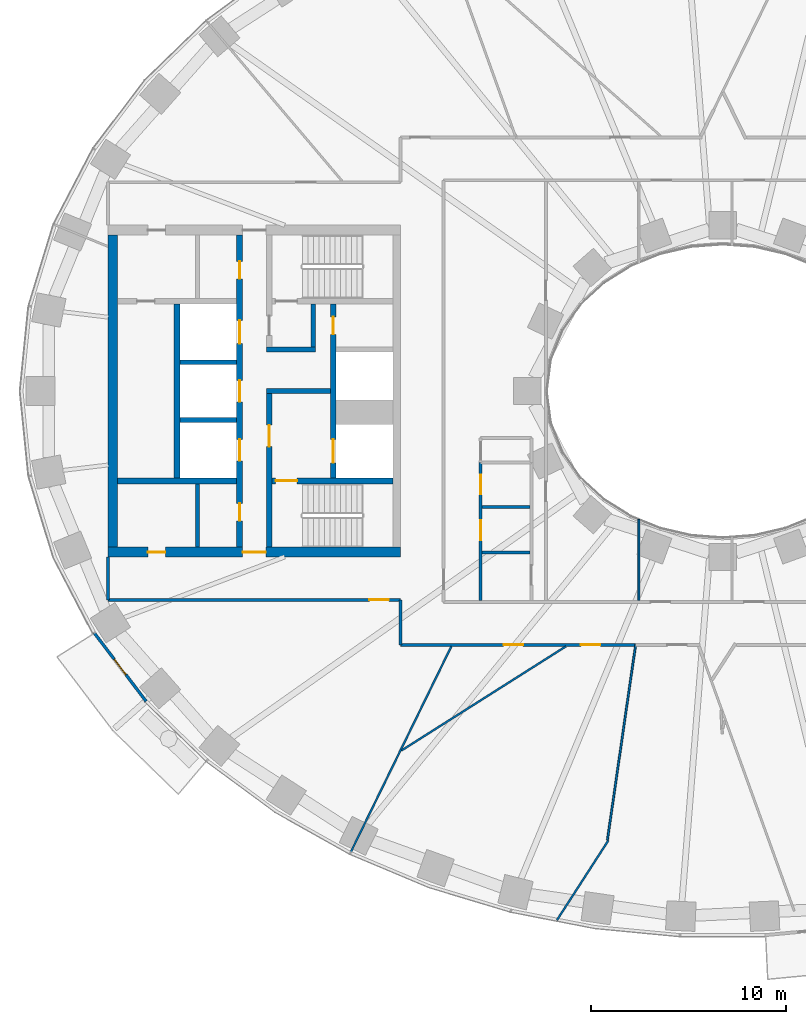
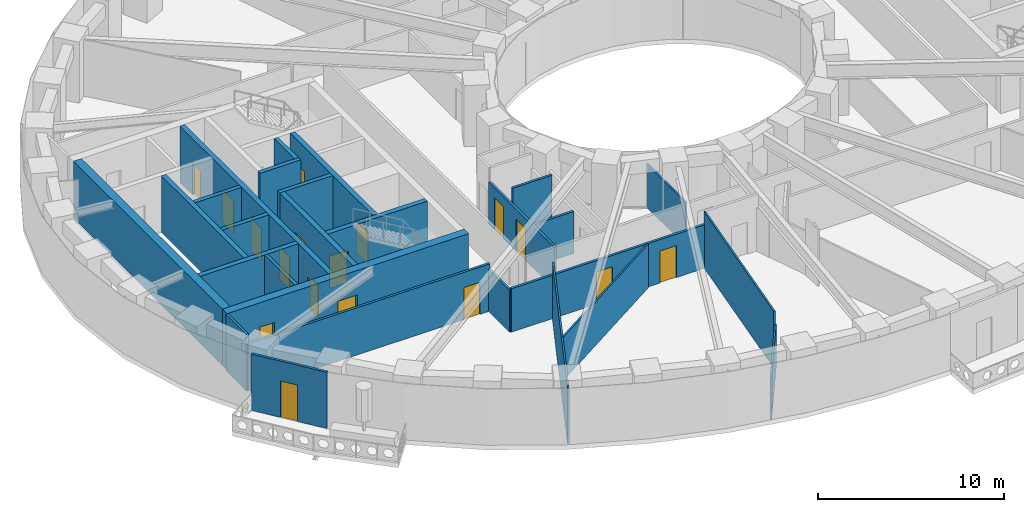
# One storey, part 3 of 16: 27 walls, 17 doors, 17 openings.
"""IFC4 building model written with IfcOpenShell, lengths in metres."""

from ifc_helpers import new_model, si_unit, direction, frame, frame_2d, origin, place, context, subcontext, project, spatial, rectangle, extrude, material, layer, layer_set, type_object, element, fill, save


model = new_model("IFC4")

# Units and contexts
model_context = context("Model", 3, precision=1e-05, world=origin(), true_north=direction((0.0, 1.0)))
body_context = subcontext(model_context, "Body", "Model", "MODEL_VIEW")
ifc_project = project(units=[si_unit("LENGTHUNIT", "METRE"), si_unit("AREAUNIT", "SQUARE_METRE"), si_unit("VOLUMEUNIT", "CUBIC_METRE"), si_unit("PLANEANGLEUNIT", "RADIAN"), si_unit("MASSUNIT", "GRAM", prefix="KILO")], contexts=[model_context])

# Site, building, storey
site_placement = place(None, origin())
site = spatial("IfcSite", under=ifc_project, at=site_placement, CompositionType="ELEMENT")
building_placement = place(site_placement, origin())
building = spatial("IfcBuilding", under=site, at=building_placement, Name="Noorbagh Ring Tower", CompositionType="ELEMENT")
storey_placement = place(building_placement, frame((0.0, 0.0, 54.5)))
storey = spatial("IfcBuildingStorey", under=building, at=storey_placement, Name="L11", CompositionType="ELEMENT", Elevation=54.5)

# Walls
ifc_material_1 = material(Name="Gypsum board on steel studs", Category="steel")
ifc_layer_1 = layer(ifc_material_1, 0.199951171875)
ifc_layer_set_1 = layer_set([ifc_layer_1], Name="Gypsum board on steel studs")
wall_type_1 = type_object("IfcWallType", Name="CORE-PARTITION-200", PredefinedType="PARTITIONING", material=ifc_layer_set_1)
wall_1_placement = place(storey_placement, frame((-26.89990234375, -8.0, 0.0), z_axis=(0.0, 0.0, 1.0), x_axis=(0.0, 1.0, 0.0)))
element("IfcWall", 1, at=wall_1_placement, inside=storey, type_object=wall_type_1, Name="Core partition W", PredefinedType="PARTITIONING", context=body_context, shape_type="SweptSolid", body=[
    extrude(rectangle(XDim=3.25, YDim=0.199951171875, at=frame_2d((1.625, 0.0))), origin(), (0.0, 0.0, 1.0), 3.699951171875),
])
ifc_material_2 = material(Name="Concrete C70/85", Category="concrete")
ifc_layer_2 = layer(ifc_material_2, 0.25)
ifc_layer_set_2 = layer_set([ifc_layer_2], Name="Concrete C70/85")
wall_type_2 = type_object("IfcWallType", Name="CORE-WALL-250-C70-85-EI120", PredefinedType="SHEAR", material=ifc_layer_set_2)
for number, where, z_axis, x_axis, name in (
    (2, (-24.89990234375, -1.47509765625, 0.0), (0.0, 0.0, 1.0), (-1.0, 0.0, 0.0), "Core wall W"),
    (3, (-24.89990234375, 1.47509765625, 0.0), (0.0, 0.0, 1.0), (-1.0, 0.0, 0.0), "Core wall W"),
):
    element("IfcWall", number, at=place(storey_placement, frame(where, z_axis=z_axis, x_axis=x_axis)), inside=storey, type_object=wall_type_2, Name=name, PredefinedType="SHEAR", context=body_context, shape_type="SweptSolid", body=[
        extrude(rectangle(XDim=2.900146484375, YDim=0.25, at=frame_2d((1.4501953125, 0.0))), origin(), (0.0, 0.0, 1.0), 3.699951171875),
    ])
ifc_material_3 = material(Name="Concrete C70/85", Category="concrete")
ifc_layer_3 = layer(ifc_material_3, 0.25)
ifc_layer_set_3 = layer_set([ifc_layer_3], Name="Concrete C70/85")
wall_type_3 = type_object("IfcWallType", Name="CORE-WALL-250-C70-85-EI240", PredefinedType="SHEAR", material=ifc_layer_set_3)
wall_2_placement = place(storey_placement, frame((-20.10009765625, 0.0, 0.0), z_axis=(0.0, 0.0, 1.0), x_axis=(-1.0, 0.0, 0.0)))
element("IfcWall", 4, at=wall_2_placement, inside=storey, type_object=wall_type_3, Name="Core wall W", PredefinedType="SHEAR", context=body_context, shape_type="SweptSolid", body=[
    extrude(rectangle(XDim=3.27978515625, YDim=0.25, at=frame_2d((1.639892578125, 0.0))), origin(), (0.0, 0.0, 1.0), 3.699951171875),
])
wall_3_placement = place(storey_placement, frame((-20.85009765625, 2.125, 0.0), z_axis=(0.0, 0.0, 1.0), x_axis=(-1.0, 0.0, 0.0)))
element("IfcWall", 5, at=wall_3_placement, inside=storey, type_object=wall_type_3, Name="Core wall W", PredefinedType="SHEAR", context=body_context, shape_type="SweptSolid", body=[
    extrude(rectangle(XDim=2.52978515625, YDim=0.25, at=frame_2d((1.264892578125, 0.0))), origin(), (0.0, 0.0, 1.0), 3.699951171875),
])
wall_4_placement = place(storey_placement, frame((-20.97509765625, 2.25, 0.0), z_axis=(0.0, 0.0, 1.0), x_axis=(0.0, 1.0, 0.0)))
element("IfcWall", 6, at=wall_4_placement, inside=storey, type_object=wall_type_3, Name="Core wall W", PredefinedType="SHEAR", context=body_context, shape_type="SweptSolid", body=[
    extrude(rectangle(XDim=2.199951171875, YDim=0.25, at=frame_2d((1.10009765625, 0.0))), origin(), (0.0, 0.0, 1.0), 3.699951171875),
])
ifc_material_4 = material(Name="Concrete C70/85", Category="concrete")
ifc_layer_4 = layer(ifc_material_4, 0.300048828125)
ifc_layer_set_4 = layer_set([ifc_layer_4], Name="Concrete C70/85")
wall_type_4 = type_object("IfcWallType", Name="CORE-WALL-300-C70-85-EI120", PredefinedType="SHEAR", material=ifc_layer_set_4)
wall_5_placement = place(storey_placement, frame((-27.949951171875, -4.449951171875, 0.0), z_axis=(0.0, 0.0, 1.0), x_axis=(0.0, 1.0, 0.0)))
element("IfcWall", 7, at=wall_5_placement, inside=storey, type_object=wall_type_4, Name="Core wall W", PredefinedType="SHEAR", context=body_context, shape_type="SweptSolid", body=[
    extrude(rectangle(XDim=8.89990234375, YDim=0.300048828125, at=frame_2d((4.449951171875, 0.0))), origin(), (0.0, 0.0, 1.0), 3.699951171875),
])

# Wall, openings, doors
wall_6_placement = place(storey_placement, frame((-19.949951171875, -4.449951171875, 0.0), z_axis=(0.0, 0.0, 1.0), x_axis=(0.0, 1.0, 0.0)))
wall_6 = element("IfcWall", 8, at=wall_6_placement, inside=storey, type_object=wall_type_4, Name="Core wall W", PredefinedType="SHEAR", context=body_context, shape_type="SweptSolid", body=[
    extrude(rectangle(XDim=8.89990234375, YDim=0.300048828125, at=frame_2d((4.449951171875, 0.0))), origin(), (0.0, 0.0, 1.0), 3.699951171875),
])
opening_1_placement = place(wall_6_placement, frame((0.77490234375, 0.0, 0.0)))
opening_1 = element("IfcOpeningElement", 9, at=opening_1_placement, cuts=wall_6, Name="Opening L11-CW01", PredefinedType="OPENING", context=body_context, shape_type="SweptSolid", body=[
    extrude(rectangle(XDim=1.199951171875, YDim=2.10009765625, at=frame_2d((0.60009765625, 1.050048828125))), frame((0.0, 0.16015625, 0.0), z_axis=(0.0, -1.0, 0.0), x_axis=(1.0, 0.0, 0.0)), (0.0, 0.0, 1.0), 0.320068359375),
])
opening_2_placement = place(wall_6_placement, frame((7.35009765625, 0.0, 0.0)))
opening_2 = element("IfcOpeningElement", 10, at=opening_2_placement, cuts=wall_6, Name="Opening L11-CW11", PredefinedType="OPENING", context=body_context, shape_type="SweptSolid", body=[
    extrude(rectangle(XDim=0.89990234375, YDim=2.10009765625, at=frame_2d((0.449951171875, 1.050048828125))), frame((0.0, 0.16015625, 0.0), z_axis=(0.0, -1.0, 0.0), x_axis=(1.0, 0.0, 0.0)), (0.0, 0.0, 1.0), 0.320068359375),
])
ifc_material_5 = material(Name="Steel door leaf", Category="steel")
door_type_1 = type_object("IfcDoorType", Name="CORE-DOOR-DROOM", OperationType="SINGLE_SWING_LEFT", PredefinedType="DOOR", material=ifc_material_5)
door_1_placement = place(opening_2_placement, origin())
door_1 = element("IfcDoor", 11, at=door_1_placement, inside=storey, type_object=door_type_1, Name="Core room door L11-CW11", OperationType="SINGLE_SWING_LEFT", OverallHeight=2.10009765625, OverallWidth=0.89990234375, PredefinedType="DOOR", context=body_context, shape_type="SweptSolid", body=[
    extrude(rectangle(XDim=0.89990234375, YDim=2.10009765625, at=frame_2d((0.449951171875, 1.050048828125))), frame((0.0, 0.02490234375, 0.0), z_axis=(0.0, -1.0, 0.0), x_axis=(1.0, 0.0, 0.0)), (0.0, 0.0, 1.0), 0.050048828125),
])
fill(opening_2, door_1)
ifc_material_6 = material(Name="Steel door leaf", Category="steel")
door_type_2 = type_object("IfcDoorType", Name="CORE-DOOR-LDW", OperationType="DOUBLE_DOOR_SLIDING", PredefinedType="DOOR", material=ifc_material_6)
door_2_placement = place(opening_1_placement, origin())
door_2 = element("IfcDoor", 12, at=door_2_placement, inside=storey, type_object=door_type_2, Name="Landing door FF1 L11-CW01", OperationType="DOUBLE_DOOR_SLIDING", OverallHeight=2.10009765625, OverallWidth=1.199951171875, PredefinedType="DOOR", context=body_context, shape_type="SweptSolid", body=[
    extrude(rectangle(XDim=1.199951171875, YDim=2.10009765625, at=frame_2d((0.60009765625, 1.050048828125))), frame((0.0, 0.02490234375, 0.0), z_axis=(0.0, -1.0, 0.0), x_axis=(1.0, 0.0, 0.0)), (0.0, 0.0, 1.0), 0.050048828125),
])
fill(opening_1, door_2)

wall_7_placement = place(storey_placement, frame((-24.75, -8.0, 0.0), z_axis=(0.0, 0.0, 1.0), x_axis=(0.0, 1.0, 0.0)))
wall_7 = element("IfcWall", 13, at=wall_7_placement, inside=storey, type_object=wall_type_4, Name="Core wall W", PredefinedType="SHEAR", context=body_context, shape_type="SweptSolid", body=[
    extrude(rectangle(XDim=16.0, YDim=0.300048828125, at=frame_2d((8.0, 0.0))), origin(), (0.0, 0.0, 1.0), 3.699951171875),
])
opening_3_placement = place(wall_7_placement, frame((4.425048828125, 0.0, 0.0)))
opening_3 = element("IfcOpeningElement", 14, at=opening_3_placement, cuts=wall_7, Name="Opening L11-CW02", PredefinedType="OPENING", context=body_context, shape_type="SweptSolid", body=[
    extrude(rectangle(XDim=1.10009765625, YDim=2.10009765625, at=frame_2d((0.550048828125, 1.050048828125))), frame((0.0, 0.16015625, 0.0), z_axis=(0.0, -1.0, 0.0), x_axis=(1.0, 0.0, 0.0)), (0.0, 0.0, 1.0), 0.320068359375),
])
opening_4_placement = place(wall_7_placement, frame((7.449951171875, 0.0, 0.0)))
opening_4 = element("IfcOpeningElement", 15, at=opening_4_placement, cuts=wall_7, Name="Opening L11-CW03", PredefinedType="OPENING", context=body_context, shape_type="SweptSolid", body=[
    extrude(rectangle(XDim=1.10009765625, YDim=2.10009765625, at=frame_2d((0.550048828125, 1.050048828125))), frame((0.0, 0.16015625, 0.0), z_axis=(0.0, -1.0, 0.0), x_axis=(1.0, 0.0, 0.0)), (0.0, 0.0, 1.0), 0.320068359375),
])
opening_5_placement = place(wall_7_placement, frame((10.425048828125, 0.0, 0.0)))
opening_5 = element("IfcOpeningElement", 16, at=opening_5_placement, cuts=wall_7, Name="Opening L11-CW04", PredefinedType="OPENING", context=body_context, shape_type="SweptSolid", body=[
    extrude(rectangle(XDim=1.199951171875, YDim=2.10009765625, at=frame_2d((0.60009765625, 1.050048828125))), frame((0.0, 0.16015625, 0.0), z_axis=(0.0, -1.0, 0.0), x_axis=(1.0, 0.0, 0.0)), (0.0, 0.0, 1.0), 0.320068359375),
])
opening_6_placement = place(wall_7_placement, frame((13.75, 0.0, 0.0)))
opening_6 = element("IfcOpeningElement", 17, at=opening_6_placement, cuts=wall_7, Name="Opening L11-CW12", PredefinedType="OPENING", context=body_context, shape_type="SweptSolid", body=[
    extrude(rectangle(XDim=0.89990234375, YDim=2.10009765625, at=frame_2d((0.449951171875, 1.050048828125))), frame((0.0, 0.16015625, 0.0), z_axis=(0.0, -1.0, 0.0), x_axis=(1.0, 0.0, 0.0)), (0.0, 0.0, 1.0), 0.320068359375),
])
opening_7_placement = place(wall_7_placement, frame((1.35009765625, 0.0, 0.0)))
opening_7 = element("IfcOpeningElement", 18, at=opening_7_placement, cuts=wall_7, Name="Opening L11-CW14", PredefinedType="OPENING", context=body_context, shape_type="SweptSolid", body=[
    extrude(rectangle(XDim=0.89990234375, YDim=2.10009765625, at=frame_2d((0.449951171875, 1.050048828125))), frame((0.0, 0.16015625, 0.0), z_axis=(0.0, -1.0, 0.0), x_axis=(1.0, 0.0, 0.0)), (0.0, 0.0, 1.0), 0.320068359375),
])
door_3_placement = place(opening_6_placement, origin())
door_3 = element("IfcDoor", 19, at=door_3_placement, inside=storey, type_object=door_type_1, Name="Core room door L11-CW12", OperationType="SINGLE_SWING_RIGHT", OverallHeight=2.10009765625, OverallWidth=0.89990234375, PredefinedType="DOOR", context=body_context, shape_type="SweptSolid", body=[
    extrude(rectangle(XDim=0.89990234375, YDim=2.10009765625, at=frame_2d((0.449951171875, 1.050048828125))), frame((0.0, 0.02490234375, 0.0), z_axis=(0.0, -1.0, 0.0), x_axis=(1.0, 0.0, 0.0)), (0.0, 0.0, 1.0), 0.050048828125),
])
fill(opening_6, door_3)
door_4_placement = place(opening_7_placement, origin())
door_4 = element("IfcDoor", 20, at=door_4_placement, inside=storey, type_object=door_type_1, Name="Core room door L11-CW14", OperationType="SINGLE_SWING_LEFT", OverallHeight=2.10009765625, OverallWidth=0.89990234375, PredefinedType="DOOR", context=body_context, shape_type="SweptSolid", body=[
    extrude(rectangle(XDim=0.89990234375, YDim=2.10009765625, at=frame_2d((0.449951171875, 1.050048828125))), frame((0.0, 0.02490234375, 0.0), z_axis=(0.0, -1.0, 0.0), x_axis=(1.0, 0.0, 0.0)), (0.0, 0.0, 1.0), 0.050048828125),
])
fill(opening_7, door_4)
ifc_material_7 = material(Name="Steel door leaf", Category="steel")
door_type_3 = type_object("IfcDoorType", Name="CORE-DOOR-LD", OperationType="DOUBLE_DOOR_SLIDING", PredefinedType="DOOR", material=ifc_material_7)
door_5_placement = place(opening_3_placement, origin())
door_5 = element("IfcDoor", 21, at=door_5_placement, inside=storey, type_object=door_type_3, Name="Landing door LR1 L11-CW02", OperationType="DOUBLE_DOOR_SLIDING", OverallHeight=2.10009765625, OverallWidth=1.10009765625, PredefinedType="DOOR", context=body_context, shape_type="SweptSolid", body=[
    extrude(rectangle(XDim=1.10009765625, YDim=2.10009765625, at=frame_2d((0.550048828125, 1.050048828125))), frame((0.0, 0.02490234375, 0.0), z_axis=(0.0, -1.0, 0.0), x_axis=(1.0, 0.0, 0.0)), (0.0, 0.0, 1.0), 0.050048828125),
])
fill(opening_3, door_5)
door_6_placement = place(opening_4_placement, origin())
door_6 = element("IfcDoor", 22, at=door_6_placement, inside=storey, type_object=door_type_3, Name="Landing door LR2 L11-CW03", OperationType="DOUBLE_DOOR_SLIDING", OverallHeight=2.10009765625, OverallWidth=1.10009765625, PredefinedType="DOOR", context=body_context, shape_type="SweptSolid", body=[
    extrude(rectangle(XDim=1.10009765625, YDim=2.10009765625, at=frame_2d((0.550048828125, 1.050048828125))), frame((0.0, 0.02490234375, 0.0), z_axis=(0.0, -1.0, 0.0), x_axis=(1.0, 0.0, 0.0)), (0.0, 0.0, 1.0), 0.050048828125),
])
fill(opening_4, door_6)
door_7_placement = place(opening_5_placement, origin())
door_7 = element("IfcDoor", 23, at=door_7_placement, inside=storey, type_object=door_type_2, Name="Landing door SV1 L11-CW04", OperationType="DOUBLE_DOOR_SLIDING", OverallHeight=2.10009765625, OverallWidth=1.199951171875, PredefinedType="DOOR", context=body_context, shape_type="SweptSolid", body=[
    extrude(rectangle(XDim=1.199951171875, YDim=2.10009765625, at=frame_2d((0.60009765625, 1.050048828125))), frame((0.0, 0.02490234375, 0.0), z_axis=(0.0, -1.0, 0.0), x_axis=(1.0, 0.0, 0.0)), (0.0, 0.0, 1.0), 0.050048828125),
])
fill(opening_5, door_7)

# Wall
ifc_material_8 = material(Name="Concrete C70/85", Category="concrete")
ifc_layer_5 = layer(ifc_material_8, 0.300048828125)
ifc_layer_set_5 = layer_set([ifc_layer_5], Name="Concrete C70/85")
wall_type_5 = type_object("IfcWallType", Name="CORE-WALL-300-C70-85-EI240", PredefinedType="SHEAR", material=ifc_layer_set_5)
wall_8_placement = place(storey_placement, frame((-24.89990234375, -4.60009765625, 0.0), z_axis=(0.0, 0.0, 1.0), x_axis=(-1.0, 0.0, 0.0)))
element("IfcWall", 24, at=wall_8_placement, inside=storey, type_object=wall_type_5, Name="Core wall W", PredefinedType="SHEAR", context=body_context, shape_type="SweptSolid", body=[
    extrude(rectangle(XDim=6.10009765625, YDim=0.300048828125, at=frame_2d((3.050048828125, 0.0))), origin(), (0.0, 0.0, 1.0), 3.699951171875),
])

# Wall, opening, door
wall_9_placement = place(storey_placement, frame((-23.22998046875, -8.0, 0.0), z_axis=(0.0, 0.0, 1.0), x_axis=(0.0, 1.0, 0.0)))
wall_9 = element("IfcWall", 25, at=wall_9_placement, inside=storey, type_object=wall_type_5, Name="Core wall W", PredefinedType="SHEAR", context=body_context, shape_type="SweptSolid", body=[
    extrude(rectangle(XDim=7.875, YDim=0.300048828125, at=frame_2d((3.9375, 0.0))), origin(), (0.0, 0.0, 1.0), 3.699951171875),
])
opening_8_placement = place(wall_9_placement, frame((5.14990234375, 0.0, 0.0)))
opening_8 = element("IfcOpeningElement", 26, at=opening_8_placement, cuts=wall_9, Name="Opening L11-CW07", PredefinedType="OPENING", context=body_context, shape_type="SweptSolid", body=[
    extrude(rectangle(XDim=1.10009765625, YDim=2.10009765625, at=frame_2d((0.550048828125, 1.050048828125))), frame((0.0, 0.16015625, 0.0), z_axis=(0.0, -1.0, 0.0), x_axis=(1.0, 0.0, 0.0)), (0.0, 0.0, 1.0), 0.320068359375),
])
ifc_material_9 = material(Name="Steel door leaf", Category="steel")
door_type_4 = type_object("IfcDoorType", Name="CORE-DOOR-DFF", OperationType="SINGLE_SWING_LEFT", PredefinedType="DOOR", material=ifc_material_9)
door_8_placement = place(opening_8_placement, origin())
door_8 = element("IfcDoor", 27, at=door_8_placement, inside=storey, type_object=door_type_4, Name="Firefighting lobby door L11-CW07", OperationType="SINGLE_SWING_LEFT", OverallHeight=2.10009765625, OverallWidth=1.10009765625, PredefinedType="DOOR", context=body_context, shape_type="SweptSolid", body=[
    extrude(rectangle(XDim=1.10009765625, YDim=2.10009765625, at=frame_2d((0.550048828125, 1.050048828125))), frame((0.0, 0.02490234375, 0.0), z_axis=(0.0, -1.0, 0.0), x_axis=(1.0, 0.0, 0.0)), (0.0, 0.0, 1.0), 0.050048828125),
])
fill(opening_8, door_8)

wall_10_placement = place(storey_placement, frame((-16.89990234375, -4.60009765625, 0.0), z_axis=(0.0, 0.0, 1.0), x_axis=(-1.0, 0.0, 0.0)))
wall_10 = element("IfcWall", 28, at=wall_10_placement, inside=storey, type_object=wall_type_5, Name="Core wall W", PredefinedType="SHEAR", context=body_context, shape_type="SweptSolid", body=[
    extrude(rectangle(XDim=6.18017578125, YDim=0.300048828125, at=frame_2d((3.090087890625, 0.0))), origin(), (0.0, 0.0, 1.0), 3.699951171875),
])
opening_9_placement = place(wall_10_placement, frame((4.89990234375, 0.0, 0.0)))
opening_9 = element("IfcOpeningElement", 29, at=opening_9_placement, cuts=wall_10, Name="Opening L11-CW06", PredefinedType="OPENING", context=body_context, shape_type="SweptSolid", body=[
    extrude(rectangle(XDim=1.10009765625, YDim=2.10009765625, at=frame_2d((0.550048828125, 1.050048828125))), frame((0.0, 0.16015625, 0.0), z_axis=(0.0, -1.0, 0.0), x_axis=(1.0, 0.0, 0.0)), (0.0, 0.0, 1.0), 0.320068359375),
])
ifc_material_10 = material(Name="Steel door leaf", Category="steel")
door_type_5 = type_object("IfcDoorType", Name="CORE-DOOR-DSTAIR", OperationType="SINGLE_SWING_LEFT", PredefinedType="DOOR", material=ifc_material_10)
door_9_placement = place(opening_9_placement, origin())
door_9 = element("IfcDoor", 30, at=door_9_placement, inside=storey, type_object=door_type_5, Name="Stair door ST2 L11-CW06", OperationType="SINGLE_SWING_LEFT", OverallHeight=2.10009765625, OverallWidth=1.10009765625, PredefinedType="DOOR", context=body_context, shape_type="SweptSolid", body=[
    extrude(rectangle(XDim=1.10009765625, YDim=2.10009765625, at=frame_2d((0.550048828125, 1.050048828125))), frame((0.0, 0.02490234375, 0.0), z_axis=(0.0, -1.0, 0.0), x_axis=(1.0, 0.0, 0.0)), (0.0, 0.0, 1.0), 0.050048828125),
])
fill(opening_9, door_9)

# Wall, openings, doors
ifc_material_11 = material(Name="Concrete C70/85", Category="concrete")
ifc_layer_6 = layer(ifc_material_11, 0.5)
ifc_layer_set_6 = layer_set([ifc_layer_6], Name="Concrete C70/85")
wall_type_6 = type_object("IfcWallType", Name="CORE-WALL-500-C70-85-EI240", PredefinedType="SHEAR", material=ifc_layer_set_6)
wall_11_placement = place(storey_placement, frame((-16.5, -8.25, 0.0), z_axis=(0.0, 0.0, 1.0), x_axis=(-1.0, 0.0, 0.0)))
wall_11 = element("IfcWall", 31, at=wall_11_placement, inside=storey, type_object=wall_type_6, Name="Core wall W", PredefinedType="SHEAR", context=body_context, shape_type="SweptSolid", body=[
    extrude(rectangle(XDim=15.0, YDim=0.5, at=frame_2d((7.5, 0.0))), origin(), (0.0, 0.0, 1.0), 3.699951171875),
])
opening_10_placement = place(wall_11_placement, frame((6.89990234375, 0.0, 0.0)))
opening_10 = element("IfcOpeningElement", 32, at=opening_10_placement, cuts=wall_11, Name="Opening L11-CW10", PredefinedType="OPENING", context=body_context, shape_type="SweptSolid", body=[
    extrude(rectangle(XDim=1.199951171875, YDim=2.10009765625, at=frame_2d((0.60009765625, 1.050048828125))), frame((0.0, 0.260009765625, 0.0), z_axis=(0.0, -1.0, 0.0), x_axis=(1.0, 0.0, 0.0)), (0.0, 0.0, 1.0), 0.52001953125),
])
opening_11_placement = place(wall_11_placement, frame((12.050048828125, 0.0, 0.0)))
opening_11 = element("IfcOpeningElement", 33, at=opening_11_placement, cuts=wall_11, Name="Opening L11-CW15", PredefinedType="OPENING", context=body_context, shape_type="SweptSolid", body=[
    extrude(rectangle(XDim=0.89990234375, YDim=2.10009765625, at=frame_2d((0.449951171875, 1.050048828125))), frame((0.0, 0.260009765625, 0.0), z_axis=(0.0, -1.0, 0.0), x_axis=(1.0, 0.0, 0.0)), (0.0, 0.0, 1.0), 0.52001953125),
])
door_10_placement = place(opening_11_placement, origin())
door_10 = element("IfcDoor", 34, at=door_10_placement, inside=storey, type_object=door_type_1, Name="Core room door L11-CW15", OperationType="SINGLE_SWING_LEFT", OverallHeight=2.10009765625, OverallWidth=0.89990234375, PredefinedType="DOOR", context=body_context, shape_type="SweptSolid", body=[
    extrude(rectangle(XDim=0.89990234375, YDim=2.10009765625, at=frame_2d((0.449951171875, 1.050048828125))), frame((0.0, 0.02490234375, 0.0), z_axis=(0.0, -1.0, 0.0), x_axis=(1.0, 0.0, 0.0)), (0.0, 0.0, 1.0), 0.050048828125),
])
fill(opening_11, door_10)
ifc_material_12 = material(Name="Steel door leaf", Category="steel")
door_type_6 = type_object("IfcDoorType", Name="CORE-DOOR-PORT", OperationType="DOUBLE_DOOR_DOUBLE_SWING", PredefinedType="DOOR", material=ifc_material_12)
door_11_placement = place(opening_10_placement, origin())
door_11 = element("IfcDoor", 35, at=door_11_placement, inside=storey, type_object=door_type_6, Name="Core entrance door L11-CW10", OperationType="DOUBLE_DOOR_DOUBLE_SWING", OverallHeight=2.10009765625, OverallWidth=1.199951171875, PredefinedType="DOOR", context=body_context, shape_type="SweptSolid", body=[
    extrude(rectangle(XDim=1.199951171875, YDim=2.10009765625, at=frame_2d((0.60009765625, 1.050048828125))), frame((0.0, 0.02490234375, 0.0), z_axis=(0.0, -1.0, 0.0), x_axis=(1.0, 0.0, 0.0)), (0.0, 0.0, 1.0), 0.050048828125),
])
fill(opening_10, door_11)

# Walls
wall_12_placement = place(storey_placement, frame((-31.25, -8.0, 0.0), z_axis=(0.0, 0.0, 1.0), x_axis=(0.0, 1.0, 0.0)))
element("IfcWall", 36, at=wall_12_placement, inside=storey, type_object=wall_type_6, Name="Core wall W", PredefinedType="SHEAR", context=body_context, shape_type="SweptSolid", body=[
    extrude(rectangle(XDim=16.0, YDim=0.5, at=frame_2d((8.0, 0.0))), origin(), (0.0, 0.0, 1.0), 3.699951171875),
])
ifc_material_13 = material(Name="Gypsum board on steel studs", Category="steel")
ifc_layer_7 = layer(ifc_material_13, 0.14990234375)
ifc_layer_set_7 = layer_set([ifc_layer_7], Name="Gypsum board on steel studs")
wall_type_7 = type_object("IfcWallType", Name="CORRIDOR PARTITION 150 EI 30", PredefinedType="PARTITIONING", material=ifc_layer_set_7)
wall_13_placement = place(storey_placement, frame((-31.5, -10.699951171875, 0.0), z_axis=(0.0, 0.0, 1.0), x_axis=(0.0, 1.0, 0.0)))
element("IfcWall", 37, at=wall_13_placement, inside=storey, type_object=wall_type_7, Name="L11/wall/P02", PredefinedType="PARTITIONING", context=body_context, shape_type="SweptSolid", body=[
    extrude(rectangle(XDim=2.199951171875, YDim=0.14990234375, at=frame_2d((1.10009765625, 0.0))), origin(), (0.0, 0.0, 1.0), 3.699951171875),
])

# Wall, opening, door
wall_14_placement = place(storey_placement, frame((-31.5, -10.699951171875, 0.0), z_axis=(0.0, 0.0, 1.0), x_axis=(1.0, 0.0, 0.0)))
wall_14 = element("IfcWall", 38, at=wall_14_placement, inside=storey, type_object=wall_type_7, Name="L11/wall/P03", PredefinedType="PARTITIONING", context=body_context, shape_type="SweptSolid", body=[
    extrude(rectangle(XDim=15.0, YDim=0.14990234375, at=frame_2d((7.5, 0.0))), origin(), (0.0, 0.0, 1.0), 3.10009765625),
])
opening_12_placement = place(wall_14_placement, frame((13.39990234375, 0.0, 0.0)))
opening_12 = element("IfcOpeningElement", 39, at=opening_12_placement, cuts=wall_14, Name="Opening D1", PredefinedType="OPENING", context=body_context, shape_type="SweptSolid", body=[
    extrude(rectangle(XDim=1.0, YDim=2.10009765625, at=frame_2d((0.5, 1.050048828125))), frame((0.0, 0.0849609375, 0.0), z_axis=(0.0, -1.0, 0.0), x_axis=(1.0, 0.0, 0.0)), (0.0, 0.0, 1.0), 0.169921875),
])
ifc_material_14 = material(Name="Timber, painted", Category="wood")
door_type_7 = type_object("IfcDoorType", Name="DOOR 1000 X 2100 FD30", OperationType="SINGLE_SWING_LEFT", PredefinedType="DOOR", material=ifc_material_14)
door_12_placement = place(opening_12_placement, origin())
door_12 = element("IfcDoor", 40, at=door_12_placement, inside=storey, type_object=door_type_7, Name="L11-D06", OperationType="SINGLE_SWING_RIGHT", OverallHeight=2.10009765625, OverallWidth=1.0, PredefinedType="DOOR", context=body_context, shape_type="SweptSolid", body=[
    extrude(rectangle(XDim=1.0, YDim=2.10009765625, at=frame_2d((0.5, 1.050048828125))), frame((0.0, 0.02490234375, 0.0), z_axis=(0.0, -1.0, 0.0), x_axis=(1.0, 0.0, 0.0)), (0.0, 0.0, 1.0), 0.050048828125),
])
fill(opening_12, door_12)

# Wall
wall_15_placement = place(storey_placement, frame((-16.5, -13.0, 0.0), z_axis=(0.0, 0.0, 1.0), x_axis=(0.0, 1.0, 0.0)))
element("IfcWall", 41, at=wall_15_placement, inside=storey, type_object=wall_type_7, Name="L11/wall/P09", PredefinedType="PARTITIONING", context=body_context, shape_type="SweptSolid", body=[
    extrude(rectangle(XDim=2.300048828125, YDim=0.14990234375, at=frame_2d((1.14990234375, 0.0))), origin(), (0.0, 0.0, 1.0), 2.75),
])

# Wall, openings, doors
wall_16_placement = place(storey_placement, frame((-16.5, -13.0, 0.0), z_axis=(0.0, 0.0, 1.0), x_axis=(1.0, 0.0, 0.0)))
wall_16 = element("IfcWall", 42, at=wall_16_placement, inside=storey, type_object=wall_type_7, Name="L11/wall/P10", PredefinedType="PARTITIONING", context=body_context, shape_type="SweptSolid", body=[
    extrude(rectangle(XDim=12.02099609375, YDim=0.14990234375, at=frame_2d((6.010498046875, 0.0))), origin(), (0.0, 0.0, 1.0), 2.85009765625),
])
opening_13_placement = place(wall_16_placement, frame((9.239013671875, 0.0, 0.0)))
opening_13 = element("IfcOpeningElement", 43, at=opening_13_placement, cuts=wall_16, Name="Opening D1", PredefinedType="OPENING", context=body_context, shape_type="SweptSolid", body=[
    extrude(rectangle(XDim=1.0, YDim=2.10009765625, at=frame_2d((0.5, 1.050048828125))), frame((0.0, 0.0849609375, 0.0), z_axis=(0.0, -1.0, 0.0), x_axis=(1.0, 0.0, 0.0)), (0.0, 0.0, 1.0), 0.169921875),
])
opening_14_placement = place(wall_16_placement, frame((5.279052734375, 0.0, 0.0)))
opening_14 = element("IfcOpeningElement", 44, at=opening_14_placement, cuts=wall_16, Name="Opening D1", PredefinedType="OPENING", context=body_context, shape_type="SweptSolid", body=[
    extrude(rectangle(XDim=1.0, YDim=2.10009765625, at=frame_2d((0.5, 1.050048828125))), frame((0.0, 0.0849609375, 0.0), z_axis=(0.0, -1.0, 0.0), x_axis=(1.0, 0.0, 0.0)), (0.0, 0.0, 1.0), 0.169921875),
])
door_13_placement = place(opening_13_placement, origin())
door_13 = element("IfcDoor", 45, at=door_13_placement, inside=storey, type_object=door_type_7, Name="L11-D09", OperationType="SINGLE_SWING_LEFT", OverallHeight=2.10009765625, OverallWidth=1.0, PredefinedType="DOOR", context=body_context, shape_type="SweptSolid", body=[
    extrude(rectangle(XDim=1.0, YDim=2.10009765625, at=frame_2d((0.5, 1.050048828125))), frame((0.0, 0.02490234375, 0.0), z_axis=(0.0, -1.0, 0.0), x_axis=(1.0, 0.0, 0.0)), (0.0, 0.0, 1.0), 0.050048828125),
])
fill(opening_13, door_13)
door_14_placement = place(opening_14_placement, origin())
door_14 = element("IfcDoor", 46, at=door_14_placement, inside=storey, type_object=door_type_7, Name="L11-D10", OperationType="SINGLE_SWING_RIGHT", OverallHeight=2.10009765625, OverallWidth=1.0, PredefinedType="DOOR", context=body_context, shape_type="SweptSolid", body=[
    extrude(rectangle(XDim=1.0, YDim=2.10009765625, at=frame_2d((0.5, 1.050048828125))), frame((0.0, 0.02490234375, 0.0), z_axis=(0.0, -1.0, 0.0), x_axis=(1.0, 0.0, 0.0)), (0.0, 0.0, 1.0), 0.050048828125),
])
fill(opening_14, door_14)

wall_17_placement = place(storey_placement, frame((-12.39990234375, -10.72509765625, 0.0), z_axis=(0.0, 0.0, 1.0), x_axis=(0.0, 1.0, 0.0)))
wall_17 = element("IfcWall", 47, at=wall_17_placement, inside=storey, type_object=wall_type_7, Name="L11/wall/P18", PredefinedType="PARTITIONING", context=body_context, shape_type="SweptSolid", body=[
    extrude(rectangle(XDim=7.065185546875, YDim=0.14990234375, at=frame_2d((3.53271484375, 0.0))), origin(), (0.0, 0.0, 1.0), 2.75),
])
opening_15_placement = place(wall_17_placement, frame((3.094970703125, 0.0, 0.0)))
opening_15 = element("IfcOpeningElement", 48, at=opening_15_placement, cuts=wall_17, Name="Opening D3", PredefinedType="OPENING", context=body_context, shape_type="SweptSolid", body=[
    extrude(rectangle(XDim=1.0, YDim=2.10009765625, at=frame_2d((0.5, 1.050048828125))), frame((0.0, 0.0849609375, 0.0), z_axis=(0.0, -1.0, 0.0), x_axis=(1.0, 0.0, 0.0)), (0.0, 0.0, 1.0), 0.169921875),
])
opening_16_placement = place(wall_17_placement, frame((5.447021484375, 0.0, 0.0)))
opening_16 = element("IfcOpeningElement", 49, at=opening_16_placement, cuts=wall_17, Name="Opening D3", PredefinedType="OPENING", context=body_context, shape_type="SweptSolid", body=[
    extrude(rectangle(XDim=1.0, YDim=2.10009765625, at=frame_2d((0.5, 1.050048828125))), frame((0.0, 0.0849609375, 0.0), z_axis=(0.0, -1.0, 0.0), x_axis=(1.0, 0.0, 0.0)), (0.0, 0.0, 1.0), 0.169921875),
])
ifc_material_15 = material(Name="Timber, painted", Category="wood")
door_type_8 = type_object("IfcDoorType", Name="DOOR 1000 X 2100 WC", OperationType="SINGLE_SWING_LEFT", PredefinedType="DOOR", material=ifc_material_15)
door_15_placement = place(opening_15_placement, origin())
door_15 = element("IfcDoor", 50, at=door_15_placement, inside=storey, type_object=door_type_8, Name="L11-D03", OperationType="SINGLE_SWING_LEFT", OverallHeight=2.10009765625, OverallWidth=1.0, PredefinedType="DOOR", context=body_context, shape_type="SweptSolid", body=[
    extrude(rectangle(XDim=1.0, YDim=2.10009765625, at=frame_2d((0.5, 1.050048828125))), frame((0.0, 0.02490234375, 0.0), z_axis=(0.0, -1.0, 0.0), x_axis=(1.0, 0.0, 0.0)), (0.0, 0.0, 1.0), 0.050048828125),
])
fill(opening_15, door_15)
door_16_placement = place(opening_16_placement, origin())
door_16 = element("IfcDoor", 51, at=door_16_placement, inside=storey, type_object=door_type_8, Name="L11-D04", OperationType="SINGLE_SWING_RIGHT", OverallHeight=2.10009765625, OverallWidth=1.0, PredefinedType="DOOR", context=body_context, shape_type="SweptSolid", body=[
    extrude(rectangle(XDim=1.0, YDim=2.10009765625, at=frame_2d((0.5, 1.050048828125))), frame((0.0, 0.02490234375, 0.0), z_axis=(0.0, -1.0, 0.0), x_axis=(1.0, 0.0, 0.0)), (0.0, 0.0, 1.0), 0.050048828125),
])
fill(opening_16, door_16)

# Walls
wall_18_placement = place(storey_placement, frame((-12.324951171875, -8.280029296875, 0.0), z_axis=(0.0, 0.0, 1.0), x_axis=(1.0, 0.0, 0.0)))
element("IfcWall", 52, at=wall_18_placement, inside=storey, type_object=wall_type_7, Name="L11/wall/P19", PredefinedType="PARTITIONING", context=body_context, shape_type="SweptSolid", body=[
    extrude(rectangle(XDim=2.449951171875, YDim=0.14990234375, at=frame_2d((1.22509765625, 0.0))), origin(), (0.0, 0.0, 1.0), 2.75),
])
wall_19_placement = place(storey_placement, frame((-12.324951171875, -5.927978515625, 0.0), z_axis=(0.0, 0.0, 1.0), x_axis=(1.0, 0.0, 0.0)))
element("IfcWall", 53, at=wall_19_placement, inside=storey, type_object=wall_type_7, Name="L11/wall/P20", PredefinedType="PARTITIONING", context=body_context, shape_type="SweptSolid", body=[
    extrude(rectangle(XDim=2.449951171875, YDim=0.14990234375, at=frame_2d((1.22509765625, 0.0))), origin(), (0.0, 0.0, 1.0), 3.699951171875),
])

# Wall, opening, door
ifc_material_16 = material(Name="Insulated aluminium clad panel", Category="aluminium")
ifc_layer_8 = layer(ifc_material_16, 0.14990234375)
ifc_layer_set_8 = layer_set([ifc_layer_8], Name="Insulated aluminium clad panel")
wall_type_8 = type_object("IfcWallType", Name="ENV-WALL-DOOR", PredefinedType="STANDARD", material=ifc_layer_set_8)
wall_20_placement = place(storey_placement, frame((-32.20751953125, -12.37353515625, 0.0), z_axis=(0.0, 0.0, 1.0), x_axis=(0.604045763106, -0.796949632081, 0.0)))
wall_20 = element("IfcWall", 54, at=wall_20_placement, inside=storey, type_object=wall_type_8, Name="Balcony door wall chord 27", PredefinedType="STANDARD", context=body_context, shape_type="SweptSolid", body=[
    extrude(rectangle(XDim=4.42333984375, YDim=0.14990234375, at=frame_2d((2.211669921875, 0.0))), origin(), (0.0, 0.0, 1.0), 3.699951171875),
])
opening_17_placement = place(wall_20_placement, frame((1.711669921875, 0.0, 0.0)))
opening_17 = element("IfcOpeningElement", 55, at=opening_17_placement, cuts=wall_20, Name="Opening D-BL", PredefinedType="OPENING", context=body_context, shape_type="SweptSolid", body=[
    extrude(rectangle(XDim=1.0, YDim=2.39990234375, at=frame_2d((0.5, 1.199951171875))), frame((0.0, 0.0849609375, 0.0), z_axis=(0.0, -1.0, 0.0), x_axis=(1.0, 0.0, 0.0)), (0.0, 0.0, 1.0), 0.169921875),
])
ifc_material_17 = material(Name="Aluminium and glass", Category="aluminium")
door_type_9 = type_object("IfcDoorType", Name="ENV-DOOR-BALCONY", OperationType="SINGLE_SWING_LEFT", PredefinedType="DOOR", material=ifc_material_17)
door_17_placement = place(opening_17_placement, origin())
door_17 = element("IfcDoor", 56, at=door_17_placement, inside=storey, type_object=door_type_9, Name="Balcony door chord 27", OperationType="SINGLE_SWING_RIGHT", OverallHeight=2.39990234375, OverallWidth=1.0, PredefinedType="DOOR", context=body_context, shape_type="SweptSolid", body=[
    extrude(rectangle(XDim=1.0, YDim=2.39990234375, at=frame_2d((0.5, 1.199951171875))), frame((0.0, 0.02490234375, 0.0), z_axis=(0.0, -1.0, 0.0), x_axis=(1.0, 0.0, 0.0)), (0.0, 0.0, 1.0), 0.050048828125),
])
fill(opening_17, door_17)

# Walls
ifc_material_18 = material(Name="Gypsum board on steel studs", Category="steel")
ifc_layer_9 = layer(ifc_material_18, 0.10009765625)
ifc_layer_set_9 = layer_set([ifc_layer_9], Name="Gypsum board on steel studs")
wall_type_9 = type_object("IfcWallType", Name="PARTITION 100 GYPSUM", PredefinedType="PARTITIONING", material=ifc_layer_set_9)
wall_21_placement = place(storey_placement, frame((-19.0859375, -23.68505859375, 0.0), z_axis=(0.0, 0.0, 1.0), x_axis=(0.439199750603, 0.898389436197, 0.0)))
element("IfcWall", 57, at=wall_21_placement, inside=storey, type_object=wall_type_9, Name="L11/wall/P07", PredefinedType="PARTITIONING", context=body_context, shape_type="SweptSolid", body=[
    extrude(rectangle(XDim=11.81005859375, YDim=0.10009765625, at=frame_2d((5.905029296875, 0.0))), origin(), (0.0, 0.0, 1.0), 3.699951171875),
])
wall_22_placement = place(storey_placement, frame((-16.451904296875, -18.412109375, 0.0), z_axis=(0.0, 0.0, 1.0), x_axis=(0.84481391066, 0.535060236194, 0.0)))
element("IfcWall", 58, at=wall_22_placement, inside=storey, type_object=wall_type_9, Name="L11/wall/P08", PredefinedType="PARTITIONING", context=body_context, shape_type="SweptSolid", body=[
    extrude(rectangle(XDim=9.97119140625, YDim=0.10009765625, at=frame_2d((4.985595703125, 0.0))), origin(), (0.0, 0.0, 1.0), 2.85009765625),
])
wall_23_placement = place(storey_placement, frame((-8.490966796875, -27.10400390625, 0.0), z_axis=(0.0, 0.0, 1.0), x_axis=(0.542285995048, 0.840193965448, 0.0)))
element("IfcWall", 59, at=wall_23_placement, inside=storey, type_object=wall_type_9, Name="L11/wall/P29", PredefinedType="PARTITIONING", context=body_context, shape_type="SweptSolid", body=[
    extrude(rectangle(XDim=4.857177734375, YDim=0.10009765625, at=frame_2d((2.4287109375, 0.0))), origin(), (0.0, 0.0, 1.0), 2.85009765625),
])
wall_24_placement = place(storey_placement, frame((-5.905029296875, -23.0048828125, 0.0), z_axis=(0.0, 0.0, 1.0), x_axis=(0.143007570509, 0.98972159458, 0.0)))
element("IfcWall", 60, at=wall_24_placement, inside=storey, type_object=wall_type_9, Name="L11/wall/P30", PredefinedType="PARTITIONING", context=body_context, shape_type="SweptSolid", body=[
    extrude(rectangle(XDim=10.104736328125, YDim=0.10009765625, at=frame_2d((5.05224609375, 0.0))), origin(), (0.0, 0.0, 1.0), 3.699951171875),
])
wall_25_placement = place(storey_placement, frame((-4.2900390625, -10.72509765625, 0.0), z_axis=(0.0, 0.0, 1.0), x_axis=(0.0, 1.0, 0.0)))
element("IfcWall", 61, at=wall_25_placement, inside=storey, type_object=wall_type_9, Name="L11/wall/P32", PredefinedType="PARTITIONING", context=body_context, shape_type="SweptSolid", body=[
    extrude(rectangle(XDim=4.156982421875, YDim=0.10009765625, at=frame_2d((2.07861328125, 0.0))), origin(), (0.0, 0.0, 1.0), 2.85009765625),
])

save(model, "model.ifc")
